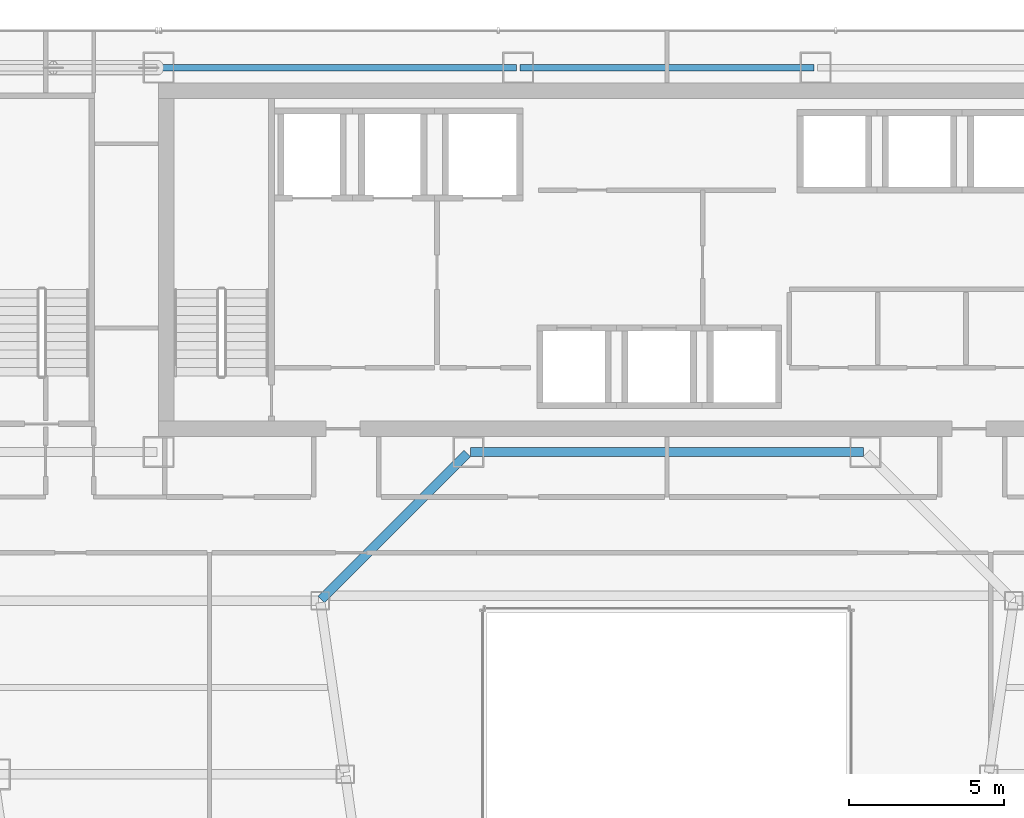
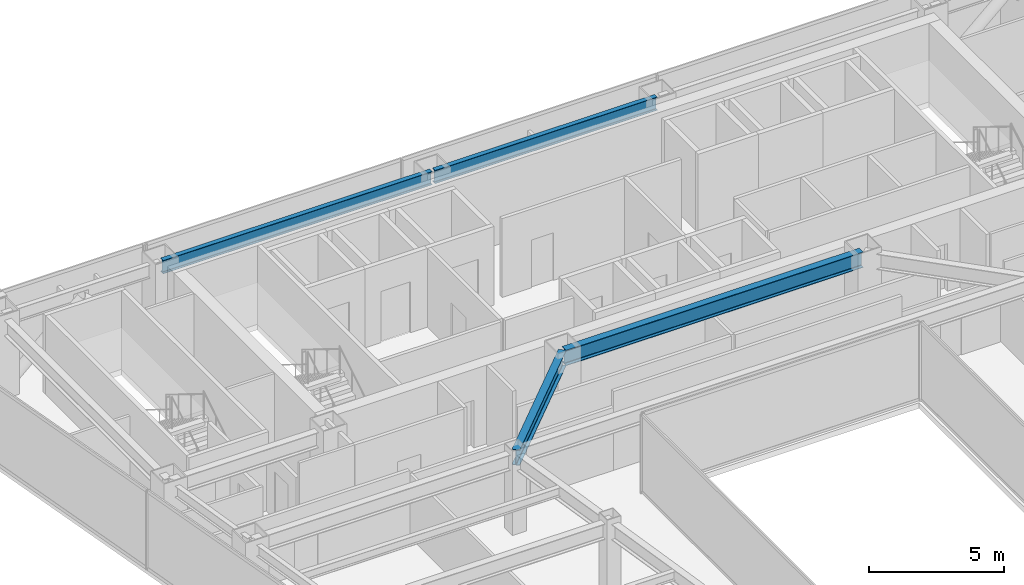
# One storey, part 21 of 37: 4 beams.
"""IFC4 building model written with IfcOpenShell, lengths in metres."""

import ifcopenshell
import ifcopenshell.guid

model = None  # the IFC model being written
_history = None  # IfcOwnerHistory: only IFC2X3 demands one
_inside = {}  # id of a spatial element -> (the spatial element, [elements in it])
_under = {}  # id of a project, library or spatial element -> (it, [spatial elements below it])
_declared = {}  # id of a project -> (the project, [libraries it declares])
_typed = {}  # id of a type object -> (the type object, [elements of that type])
_made_of = {}  # id of a material, layer set ... -> (it, [elements and type objects made of it])


def new_model(schema):
    """Start an empty IFC model of exactly this schema.

    Asked for "IFC4X3", IfcOpenShell would pick the latest addendum, in which some entities
    have other attributes; the version numbers below select the first issue.
    IFC2X3 requires an IfcOwnerHistory on every rooted entity: one is made here for all.
    """
    global model, _history
    if schema == "IFC4X3":
        model = ifcopenshell.file(schema_version=(4, 3, 0, 0))
    else:
        model = ifcopenshell.file(schema=schema)
    _inside.clear()
    _under.clear()
    _declared.clear()
    _typed.clear()
    _made_of.clear()
    _history = None
    if model.schema == "IFC2X3":
        org = make("IfcOrganization", Name="unknown")
        user = make(
            "IfcPersonAndOrganization",
            ThePerson=make("IfcPerson", FamilyName="unknown"),
            TheOrganization=org,
        )
        app = make(
            "IfcApplication",
            ApplicationDeveloper=org,
            Version="unknown",
            ApplicationFullName="unknown",
            ApplicationIdentifier="unknown",
        )
        _history = make(
            "IfcOwnerHistory",
            OwningUser=user,
            OwningApplication=app,
            ChangeAction="ADDED",
            CreationDate=0,
        )
    return model


def make(cls, **values):
    """One entity of the class cls with the attributes given. An attribute that is None is left unset."""
    return model.create_entity(
        cls, **{name: value for name, value in values.items() if value is not None}
    )


def rooted(cls, **values):
    """An entity with a GlobalId (a new one), such as an element, a storey or a relation."""
    return make(cls, GlobalId=ifcopenshell.guid.new(), OwnerHistory=_history, **values)


def si_unit(unit_type, name, prefix=None):
    """IfcSIUnit, for example si_unit("LENGTHUNIT", "METRE", prefix="MILLI")."""
    return make("IfcSIUnit", UnitType=unit_type, Prefix=prefix, Name=name)


def assignment(units):
    """IfcUnitAssignment: the units of a project."""
    return None if units is None else make("IfcUnitAssignment", Units=units)


def point(xyz):
    """IfcCartesianPoint."""
    return None if xyz is None else make("IfcCartesianPoint", Coordinates=xyz)


def direction(xyz):
    """IfcDirection."""
    return None if xyz is None else make("IfcDirection", DirectionRatios=xyz)


def frame(location, z_axis=None, x_axis=None):
    """IfcAxis2Placement3D, a coordinate frame: its origin and axes. An axis left out is left unset."""
    return make(
        "IfcAxis2Placement3D",
        Location=point(location),
        Axis=direction(z_axis),
        RefDirection=direction(x_axis),
    )


def frame_2d(location, x_axis=None):
    """IfcAxis2Placement2D, a coordinate frame in the plane: its origin and x axis."""
    return make(
        "IfcAxis2Placement2D", Location=point(location), RefDirection=direction(x_axis)
    )


def origin():
    """The frame at (0, 0, 0) with its axes left unset."""
    return frame((0.0, 0.0, 0.0))


def origin_2d():
    """The frame at (0, 0) in the plane with its x axis left unset."""
    return frame_2d((0.0, 0.0))


def place(relative_to, where):
    """IfcLocalPlacement: puts the frame where relative to a parent placement (None: the world)."""
    return make(
        "IfcLocalPlacement", PlacementRelTo=relative_to, RelativePlacement=where
    )


def context(
    kind, dimensions, precision=None, world=None, true_north=None, identifier=None
):
    """IfcGeometricRepresentationContext, for example the 3D "Model" context."""
    return make(
        "IfcGeometricRepresentationContext",
        ContextIdentifier=identifier,
        ContextType=kind,
        CoordinateSpaceDimension=dimensions,
        Precision=precision,
        WorldCoordinateSystem=world,
        TrueNorth=true_north,
    )


def subcontext(parent, identifier, kind, view, scale=None):
    """IfcGeometricRepresentationSubContext, for example "Body" below "Model"."""
    return make(
        "IfcGeometricRepresentationSubContext",
        ContextIdentifier=identifier,
        ContextType=kind,
        ParentContext=parent,
        TargetScale=scale,
        TargetView=view,
    )


def project(units=None, contexts=None):
    """IfcProject with its units and contexts."""
    return rooted(
        "IfcProject",
        Name="project",
        RepresentationContexts=contexts,
        UnitsInContext=assignment(units),
    )


def spatial(cls, under=None, at=None, **own):
    """A site, building, storey or space (cls), placed at a placement, below another one or the project."""
    s = rooted(cls, ObjectPlacement=at, **own)
    if under is not None:
        _under.setdefault(under.id(), (under, []))[1].append(s)
    return s


def profile(cls, at=None, kind="AREA", **sizes):
    """A parametric profile (cls). Its sizes go by their IFC names, for example OverallWidth=200.0."""
    return make(cls, ProfileType=kind, Position=at, **sizes)


def i_section(**sizes):
    """IfcIShapeProfileDef."""
    return profile("IfcIShapeProfileDef", **sizes)


def extrude(swept, where, along, depth):
    """IfcExtrudedAreaSolid: the profile swept, set in the frame where, extruded along a direction by depth."""
    return make(
        "IfcExtrudedAreaSolid",
        SweptArea=swept,
        Position=where,
        ExtrudedDirection=direction(along),
        Depth=depth,
    )


def shape(context_of_items, identifier, shape_type, items):
    """IfcShapeRepresentation: the items that make up one representation, for example the "Body"."""
    return make(
        "IfcShapeRepresentation",
        ContextOfItems=context_of_items,
        RepresentationIdentifier=identifier,
        RepresentationType=shape_type,
        Items=items,
    )


def material(Name=None, Category=None):
    """IfcMaterial."""
    return make("IfcMaterial", Name=Name, Category=Category)


def material_profile(
    of_material, cross_section, Name=None, Category=None, Priority=None
):
    """IfcMaterialProfile: a cross section and its material."""
    return make(
        "IfcMaterialProfile",
        Name=Name,
        Material=of_material,
        Profile=cross_section,
        Priority=Priority,
        Category=Category,
    )


def profile_set(profiles, Name=None, composite=None):
    """IfcMaterialProfileSet."""
    return make(
        "IfcMaterialProfileSet",
        Name=Name,
        MaterialProfiles=profiles,
        CompositeProfile=composite,
    )


def made_of(thing, what):
    """Note that an element or type object is made of a material, layer set ...; save() writes the relation."""
    if what is not None:
        _made_of.setdefault(what.id(), (what, []))[1].append(thing)
    return thing


def type_object(cls, material=None, **own):
    """A type object (cls), such as IfcWallType, which elements share."""
    return made_of(rooted(cls, **own), material)


def element(
    cls,
    number,
    at=None,
    inside=None,
    cuts=None,
    type_object=None,
    material=None,
    context=None,
    identifier="Body",
    shape_type=None,
    held_by="IfcProductDefinitionShape",
    body=None,
    shapes=None,
    **own,
):
    """One element of the class cls, such as IfcWall. Its Tag is "e" and its number.

    at: its placement. inside: the storey or other place that contains it. cuts: it is an
    opening in that element (IfcRelVoidsElement). A single representation is given by context,
    identifier, shape_type and body (its items); several are given by shapes. held_by: the class
    of the entity that holds the representations. save() writes the other relations.
    """
    e = rooted(cls, Tag="e%d" % number, ObjectPlacement=at, **own)
    if body is not None:
        shapes = [shape(context, identifier, shape_type, body)]
    if shapes is not None:
        e.Representation = make(held_by, Representations=shapes)
    if inside is not None:
        _inside.setdefault(inside.id(), (inside, []))[1].append(e)
    if cuts is not None:
        rooted(
            "IfcRelVoidsElement", RelatingBuildingElement=cuts, RelatedOpeningElement=e
        )
    if type_object is not None:
        _typed.setdefault(type_object.id(), (type_object, []))[1].append(e)
    return made_of(e, material)


def aggregate(whole, parts):
    """IfcRelAggregates: a whole, such as a stair, and the parts it consists of."""
    return rooted("IfcRelAggregates", RelatingObject=whole, RelatedObjects=parts)


def save(model, path):
    """Write the relations noted so far, then the file.

    IfcRelAggregates (storeys below a building ...), IfcRelContainedInSpatialStructure (elements
    in a storey), IfcRelDefinesByType, IfcRelAssociatesMaterial and IfcRelDeclares: one each for
    every whole, place, type object, material and project.
    """
    for whole, parts in _under.values():
        aggregate(whole, parts)
    for where, things in _inside.values():
        rooted(
            "IfcRelContainedInSpatialStructure",
            RelatedElements=things,
            RelatingStructure=where,
        )
    for kind, things in _typed.values():
        rooted("IfcRelDefinesByType", RelatedObjects=things, RelatingType=kind)
    for what, things in _made_of.values():
        rooted("IfcRelAssociatesMaterial", RelatedObjects=things, RelatingMaterial=what)
    for by, libraries in _declared.values():
        rooted("IfcRelDeclares", RelatingContext=by, RelatedDefinitions=libraries)
    model.write(path)


model = new_model("IFC4")

# Units and contexts
model_context = context("Model", 3, precision=1e-05, world=origin(), true_north=direction((0.0, 1.0)))
body_context = subcontext(model_context, "Body", "Model", "MODEL_VIEW")
ifc_project = project(units=[si_unit("LENGTHUNIT", "METRE"), si_unit("AREAUNIT", "SQUARE_METRE"), si_unit("VOLUMEUNIT", "CUBIC_METRE"), si_unit("PLANEANGLEUNIT", "RADIAN"), si_unit("MASSUNIT", "GRAM", prefix="KILO")], contexts=[model_context])

# Site, building, storey
site_placement = place(None, origin())
site = spatial("IfcSite", under=ifc_project, at=site_placement, CompositionType="ELEMENT")
building_placement = place(site_placement, origin())
building = spatial("IfcBuilding", under=site, at=building_placement, Name="Saevonmaru Cultural Tower", CompositionType="ELEMENT")
storey_placement = place(building_placement, frame((0.0, 0.0, 141.0)))
storey = spatial("IfcBuildingStorey", under=building, at=storey_placement, Name="L30", CompositionType="ELEMENT", Elevation=141.0)

# Beams
ifc_material = material(Name="Steel SM355", Category="steel")
ifc_material_profile_1 = material_profile(ifc_material, i_section(OverallWidth=0.300048828125, OverallDepth=0.699951171875, WebThickness=0.012939453125, FlangeThickness=0.02392578125, FilletRadius=0.02587890625, at=origin_2d()), Name="H-700x300x13x24")
ifc_profile_set_1 = profile_set([ifc_material_profile_1], Name="Steel SM355")
beam_type_1 = type_object("IfcBeamType", Name="BM-G-H700", PredefinedType="BEAM", material=ifc_profile_set_1)
beam_1_placement = place(storey_placement, frame((23.659912109375, 42.39990234375, 3.199951171875), z_axis=(1.0, 0.0, 0.0), x_axis=(0.0, 1.0, 0.0)))
element("IfcBeam", 1, at=beam_1_placement, inside=storey, type_object=beam_type_1, Name="L30 Core South Girder 3", PredefinedType="BEAM", context=body_context, shape_type="SweptSolid", body=[
    extrude(i_section(OverallWidth=0.300048828125, OverallDepth=0.699951171875, WebThickness=0.012939453125, FlangeThickness=0.02392578125, FilletRadius=0.02587890625, at=origin_2d()), origin(), (0.0, 0.0, 1.0), 12.68017578125),
])
beam_2_placement = place(storey_placement, frame((18.850341796875, 37.642578125, 3.199951171875), z_axis=(0.706538566564, 0.707674539572, 0.0), x_axis=(-0.707674539572, 0.706538566564, 0.0)))
element("IfcBeam", 2, at=beam_2_placement, inside=storey, type_object=beam_type_1, Name="L30 West Atrium Girder 5", PredefinedType="BEAM", context=body_context, shape_type="SweptSolid", body=[
    extrude(i_section(OverallWidth=0.300048828125, OverallDepth=0.699951171875, WebThickness=0.012939453125, FlangeThickness=0.02392578125, FilletRadius=0.02587890625, at=origin_2d()), origin(), (0.0, 0.0, 1.0), 6.662353515625),
])
ifc_material_profile_2 = material_profile(ifc_material, i_section(OverallWidth=0.199951171875, OverallDepth=0.60009765625, WebThickness=0.010986328125, FlangeThickness=0.01708984375, FilletRadius=0.02197265625, at=origin_2d()), Name="H-600x200x11x17")
ifc_profile_set_2 = profile_set([ifc_material_profile_2], Name="Steel SM355")
beam_type_2 = type_object("IfcBeamType", Name="BM-SP-H600", PredefinedType="SPANDREL", material=ifc_profile_set_2)
beam_3_placement = place(storey_placement, frame((13.659912109375, 54.800048828125, 3.25), z_axis=(1.0, 0.0, 0.0), x_axis=(0.0, 1.0, 0.0)))
element("IfcBeam", 3, at=beam_3_placement, inside=storey, type_object=beam_type_2, Name="L30 North Spine Girder 2", PredefinedType="SPANDREL", context=body_context, shape_type="SweptSolid", body=[
    extrude(i_section(OverallWidth=0.199951171875, OverallDepth=0.60009765625, WebThickness=0.010986328125, FlangeThickness=0.01708984375, FilletRadius=0.02197265625, at=origin_2d()), origin(), (0.0, 0.0, 1.0), 11.47998046875),
])
beam_4_placement = place(storey_placement, frame((25.260009765625, 54.800048828125, 3.25), z_axis=(1.0, 0.0, 0.0), x_axis=(0.0, 1.0, 0.0)))
element("IfcBeam", 4, at=beam_4_placement, inside=storey, type_object=beam_type_2, Name="L30 North Spine Girder 3", PredefinedType="SPANDREL", context=body_context, shape_type="SweptSolid", body=[
    extrude(i_section(OverallWidth=0.199951171875, OverallDepth=0.60009765625, WebThickness=0.010986328125, FlangeThickness=0.01708984375, FilletRadius=0.02197265625, at=origin_2d()), origin(), (0.0, 0.0, 1.0), 9.47998046875),
])

save(model, "model.ifc")
